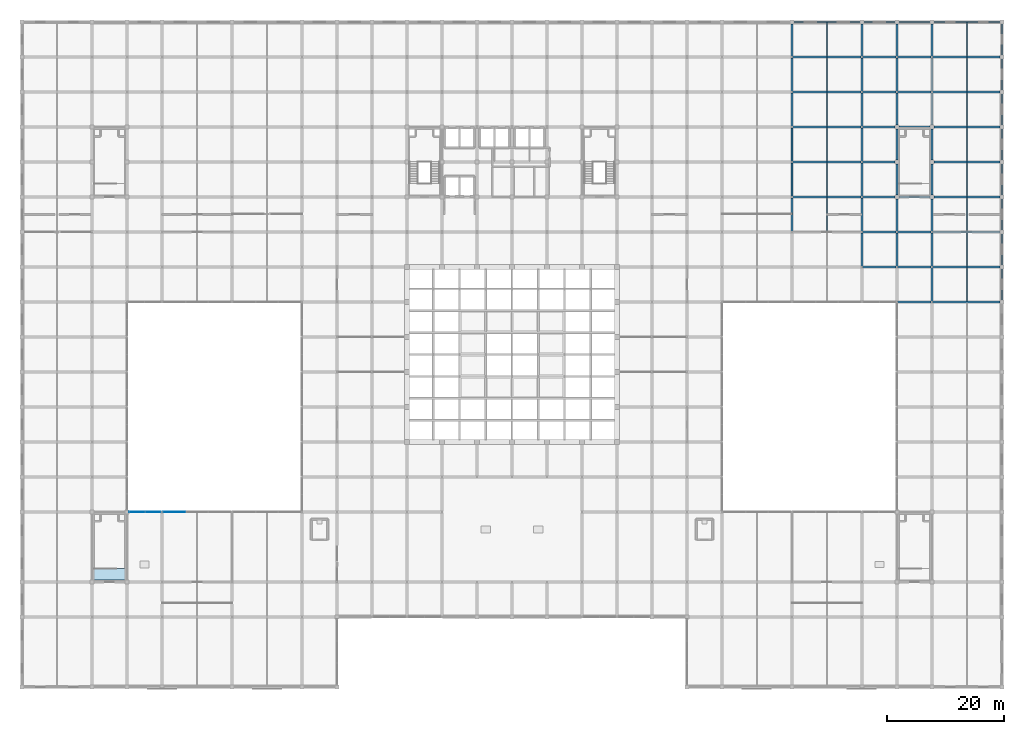
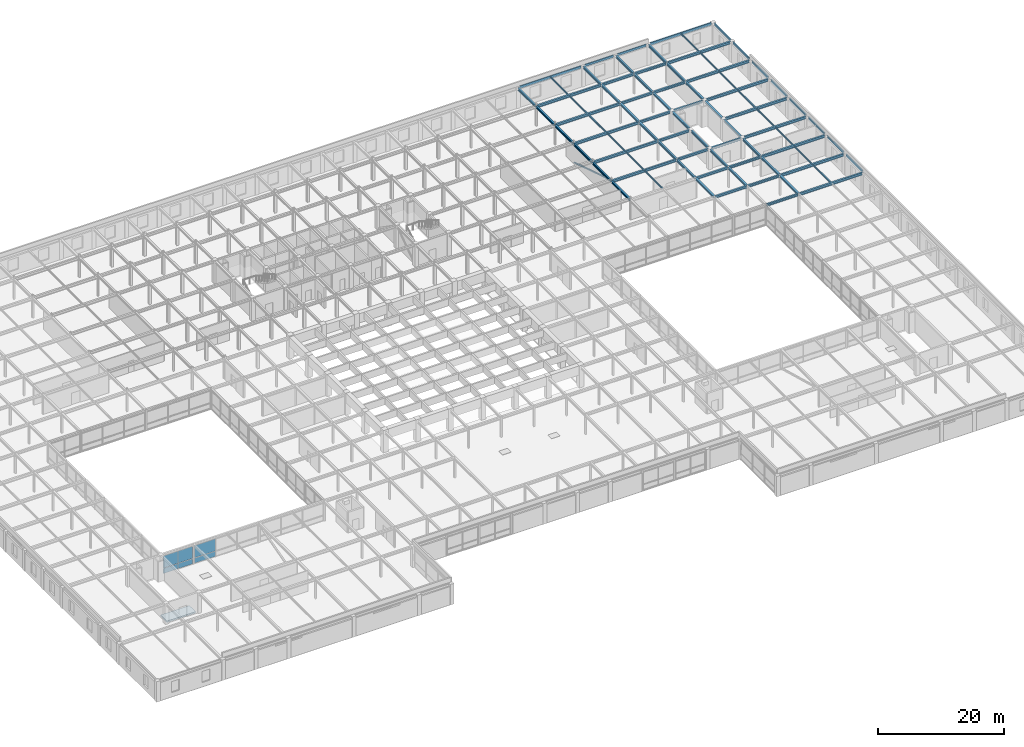
# One storey, part 95 of 111: 81 beams, 6 plates, 1 member, 1 slab, 2 elements without a shape of their own.
"""IFC4 building model written with IfcOpenShell, lengths in metres."""

from ifc_helpers import new_model, si_unit, direction, frame, origin, origin_2d, place, context, subcontext, project, spatial, polyline, rectangle, hollow_rectangle, i_section, outline, extrude, material, layer, layer_set, material_profile, profile_set, type_object, element, aggregate, save


model = new_model("IFC4")

# Units and contexts
model_context = context("Model", 3, precision=1e-05, world=origin(), true_north=direction((0.0, 1.0)))
body_context = subcontext(model_context, "Body", "Model", "MODEL_VIEW")
ifc_project = project(units=[si_unit("LENGTHUNIT", "METRE"), si_unit("AREAUNIT", "SQUARE_METRE"), si_unit("VOLUMEUNIT", "CUBIC_METRE"), si_unit("PLANEANGLEUNIT", "RADIAN"), si_unit("MASSUNIT", "GRAM", prefix="KILO")], contexts=[model_context])

# Site, building, storey
site_placement = place(None, origin())
site = spatial("IfcSite", under=ifc_project, at=site_placement, CompositionType="ELEMENT")
building_placement = place(site_placement, origin())
building = spatial("IfcBuilding", under=site, at=building_placement, Name="Zlatovratsky Civic Hall", CompositionType="ELEMENT")
storey_placement = place(building_placement, frame((0.0, 0.0, 16.5)))
storey = spatial("IfcBuildingStorey", under=building, at=storey_placement, Name="L04", CompositionType="ELEMENT", Elevation=16.5)

# Beams
ifc_material_1 = material(Name="Steel S355", Category="steel")
ifc_material_profile_1 = material_profile(ifc_material_1, i_section(OverallWidth=0.300048828125, OverallDepth=0.487060546875, WebThickness=0.014404296875, FlangeThickness=0.017578125, FilletRadius=0.02392578125, at=origin_2d()), Name="50Sh2")
ifc_profile_set_1 = profile_set([ifc_material_profile_1], Name="Steel S355")
beam_type_1 = type_object("IfcBeamType", Name="Beam_ArchiveGirder_50Sh2", PredefinedType="BEAM", material=ifc_profile_set_1)
for number, where, z_axis, x_axis, name in (
    (1, (156.125, 66.0, 3.756591796875), (1.0, 0.0, 0.0), (0.0, 1.0, 0.0), "BM-3345"),
    (2, (156.125, 72.0, 3.756591796875), (1.0, 0.0, 0.0), (0.0, 1.0, 0.0), "BM-3361"),
    (3, (156.125, 78.0, 3.756591796875), (1.0, 0.0, 0.0), (0.0, 1.0, 0.0), "BM-3383"),
):
    element("IfcBeam", number, at=place(storey_placement, frame(where, z_axis=z_axis, x_axis=x_axis)), inside=storey, type_object=beam_type_1, Name=name, PredefinedType="BEAM", context=body_context, shape_type="SweptSolid", body=[
        extrude(i_section(OverallWidth=0.300048828125, OverallDepth=0.487060546875, WebThickness=0.014404296875, FlangeThickness=0.017578125, FilletRadius=0.02392578125, at=origin_2d()), origin(), (0.0, 0.0, 1.0), 11.52490234375),
    ])
beam_1_placement = place(storey_placement, frame((132.125, 84.0, 3.756591796875), z_axis=(1.0, 0.0, 0.0), x_axis=(0.0, 1.0, 0.0)))
element("IfcBeam", 4, at=beam_1_placement, inside=storey, type_object=beam_type_1, Name="BM-3402", PredefinedType="BEAM", context=body_context, shape_type="SweptSolid", body=[
    extrude(i_section(OverallWidth=0.300048828125, OverallDepth=0.487060546875, WebThickness=0.014404296875, FlangeThickness=0.017578125, FilletRadius=0.02392578125, at=origin_2d()), origin(), (0.0, 0.0, 1.0), 11.75),
])
beam_2_placement = place(storey_placement, frame((156.35009765625, 84.0, 3.756591796875), z_axis=(1.0, 0.0, 0.0), x_axis=(0.0, 1.0, 0.0)))
element("IfcBeam", 5, at=beam_2_placement, inside=storey, type_object=beam_type_1, Name="BM-3405", PredefinedType="BEAM", context=body_context, shape_type="SweptSolid", body=[
    extrude(i_section(OverallWidth=0.300048828125, OverallDepth=0.487060546875, WebThickness=0.014404296875, FlangeThickness=0.017578125, FilletRadius=0.02392578125, at=origin_2d()), origin(), (0.0, 0.0, 1.0), 11.2998046875),
])
beam_3_placement = place(storey_placement, frame((132.125, 90.0, 3.756591796875), z_axis=(1.0, 0.0, 0.0), x_axis=(0.0, 1.0, 0.0)))
element("IfcBeam", 6, at=beam_3_placement, inside=storey, type_object=beam_type_1, Name="BM-3421", PredefinedType="BEAM", context=body_context, shape_type="SweptSolid", body=[
    extrude(i_section(OverallWidth=0.300048828125, OverallDepth=0.487060546875, WebThickness=0.014404296875, FlangeThickness=0.017578125, FilletRadius=0.02392578125, at=origin_2d()), origin(), (0.0, 0.0, 1.0), 11.75),
])
beam_4_placement = place(storey_placement, frame((156.35009765625, 90.0, 3.756591796875), z_axis=(1.0, 0.0, 0.0), x_axis=(0.0, 1.0, 0.0)))
element("IfcBeam", 7, at=beam_4_placement, inside=storey, type_object=beam_type_1, Name="BM-3423", PredefinedType="BEAM", context=body_context, shape_type="SweptSolid", body=[
    extrude(i_section(OverallWidth=0.300048828125, OverallDepth=0.487060546875, WebThickness=0.014404296875, FlangeThickness=0.017578125, FilletRadius=0.02392578125, at=origin_2d()), origin(), (0.0, 0.0, 1.0), 11.2998046875),
])
beam_5_placement = place(storey_placement, frame((132.125, 96.0, 3.756591796875), z_axis=(1.0, 0.0, 0.0), x_axis=(0.0, 1.0, 0.0)))
element("IfcBeam", 8, at=beam_5_placement, inside=storey, type_object=beam_type_1, Name="BM-3442", PredefinedType="BEAM", context=body_context, shape_type="SweptSolid", body=[
    extrude(i_section(OverallWidth=0.300048828125, OverallDepth=0.487060546875, WebThickness=0.014404296875, FlangeThickness=0.017578125, FilletRadius=0.02392578125, at=origin_2d()), origin(), (0.0, 0.0, 1.0), 11.75),
])
beam_6_placement = place(storey_placement, frame((156.35009765625, 96.0, 3.756591796875), z_axis=(1.0, 0.0, 0.0), x_axis=(0.0, 1.0, 0.0)))
element("IfcBeam", 9, at=beam_6_placement, inside=storey, type_object=beam_type_1, Name="BM-3445", PredefinedType="BEAM", context=body_context, shape_type="SweptSolid", body=[
    extrude(i_section(OverallWidth=0.300048828125, OverallDepth=0.487060546875, WebThickness=0.014404296875, FlangeThickness=0.017578125, FilletRadius=0.02392578125, at=origin_2d()), origin(), (0.0, 0.0, 1.0), 11.2998046875),
])
beam_7_placement = place(storey_placement, frame((132.125, 102.0, 3.756591796875), z_axis=(1.0, 0.0, 0.0), x_axis=(0.0, 1.0, 0.0)))
element("IfcBeam", 10, at=beam_7_placement, inside=storey, type_object=beam_type_1, Name="BM-3464", PredefinedType="BEAM", context=body_context, shape_type="SweptSolid", body=[
    extrude(i_section(OverallWidth=0.300048828125, OverallDepth=0.487060546875, WebThickness=0.014404296875, FlangeThickness=0.017578125, FilletRadius=0.02392578125, at=origin_2d()), origin(), (0.0, 0.0, 1.0), 11.75),
])
beam_8_placement = place(storey_placement, frame((156.125, 102.0, 3.756591796875), z_axis=(1.0, 0.0, 0.0), x_axis=(0.0, 1.0, 0.0)))
element("IfcBeam", 11, at=beam_8_placement, inside=storey, type_object=beam_type_1, Name="BM-3467", PredefinedType="BEAM", context=body_context, shape_type="SweptSolid", body=[
    extrude(i_section(OverallWidth=0.300048828125, OverallDepth=0.487060546875, WebThickness=0.014404296875, FlangeThickness=0.017578125, FilletRadius=0.02392578125, at=origin_2d()), origin(), (0.0, 0.0, 1.0), 11.52490234375),
])
beam_9_placement = place(storey_placement, frame((132.125, 108.0, 3.756591796875), z_axis=(1.0, 0.0, 0.0), x_axis=(0.0, 1.0, 0.0)))
element("IfcBeam", 12, at=beam_9_placement, inside=storey, type_object=beam_type_1, Name="BM-3486", PredefinedType="BEAM", context=body_context, shape_type="SweptSolid", body=[
    extrude(i_section(OverallWidth=0.300048828125, OverallDepth=0.487060546875, WebThickness=0.014404296875, FlangeThickness=0.017578125, FilletRadius=0.02392578125, at=origin_2d()), origin(), (0.0, 0.0, 1.0), 11.75),
])
beam_10_placement = place(storey_placement, frame((156.125, 108.0, 3.756591796875), z_axis=(1.0, 0.0, 0.0), x_axis=(0.0, 1.0, 0.0)))
element("IfcBeam", 13, at=beam_10_placement, inside=storey, type_object=beam_type_1, Name="BM-3489", PredefinedType="BEAM", context=body_context, shape_type="SweptSolid", body=[
    extrude(i_section(OverallWidth=0.300048828125, OverallDepth=0.487060546875, WebThickness=0.014404296875, FlangeThickness=0.017578125, FilletRadius=0.02392578125, at=origin_2d()), origin(), (0.0, 0.0, 1.0), 11.52490234375),
])
ifc_material_profile_2 = material_profile(ifc_material_1, i_section(OverallWidth=0.198974609375, OverallDepth=0.491943359375, WebThickness=0.0087890625, FlangeThickness=0.011962890625, FilletRadius=0.01611328125, at=origin_2d()), Name="50B1")
ifc_profile_set_2 = profile_set([ifc_material_profile_2], Name="Steel S355")
beam_type_2 = type_object("IfcBeamType", Name="Beam_Spandrel_50B1", PredefinedType="SPANDREL", material=ifc_profile_set_2)
for number, where, z_axis, x_axis, name in (
    (14, (144.35009765625, 114.0, 3.75390625), (1.0, 0.0, 0.0), (0.0, 1.0, 0.0), "BM-3509"),
    (15, (150.35009765625, 114.0, 3.75390625), (1.0, 0.0, 0.0), (0.0, 1.0, 0.0), "BM-3510"),
    (16, (168.0, 66.35009765625, 3.75390625), (0.0, 1.0, 0.0), (-1.0, 0.0, 0.0), "BM-3821"),
    (17, (168.0, 72.35009765625, 3.75390625), (0.0, 1.0, 0.0), (-1.0, 0.0, 0.0), "BM-3822"),
    (18, (168.0, 78.35009765625, 3.75390625), (0.0, 1.0, 0.0), (-1.0, 0.0, 0.0), "BM-3823"),
    (19, (168.0, 84.35009765625, 3.75390625), (0.0, 1.0, 0.0), (-1.0, 0.0, 0.0), "BM-3824"),
    (20, (168.0, 90.35009765625, 3.75390625), (0.0, 1.0, 0.0), (-1.0, 0.0, 0.0), "BM-3825"),
    (21, (168.0, 96.35009765625, 3.75390625), (0.0, 1.0, 0.0), (-1.0, 0.0, 0.0), "BM-3826"),
    (22, (168.0, 102.35009765625, 3.75390625), (0.0, 1.0, 0.0), (-1.0, 0.0, 0.0), "BM-3827"),
    (23, (168.0, 108.35009765625, 3.75390625), (0.0, 1.0, 0.0), (-1.0, 0.0, 0.0), "BM-3828"),
):
    element("IfcBeam", number, at=place(storey_placement, frame(where, z_axis=z_axis, x_axis=x_axis)), inside=storey, type_object=beam_type_2, Name=name, PredefinedType="SPANDREL", context=body_context, shape_type="SweptSolid", body=[
        extrude(i_section(OverallWidth=0.198974609375, OverallDepth=0.491943359375, WebThickness=0.0087890625, FlangeThickness=0.011962890625, FilletRadius=0.01611328125, at=origin_2d()), origin(), (0.0, 0.0, 1.0), 5.2998046875),
    ])
ifc_material_profile_3 = material_profile(ifc_material_1, i_section(OverallWidth=0.219970703125, OverallDepth=0.54296875, WebThickness=0.009521484375, FlangeThickness=0.013427734375, FilletRadius=0.01806640625, at=origin_2d()), Name="55B1")
ifc_profile_set_3 = profile_set([ifc_material_profile_3], Name="Steel S355")
beam_type_3 = type_object("IfcBeamType", Name="Beam_Spandrel_55B1", PredefinedType="SPANDREL", material=ifc_profile_set_3)
for number, where, z_axis, x_axis, name in (
    (24, (132.35009765625, 114.0, 3.728515625), (1.0, 0.0, 0.0), (0.0, 1.0, 0.0), "BM-3508"),
    (25, (156.35009765625, 114.0, 3.728515625), (1.0, 0.0, 0.0), (0.0, 1.0, 0.0), "BM-3511"),
):
    element("IfcBeam", number, at=place(storey_placement, frame(where, z_axis=z_axis, x_axis=x_axis)), inside=storey, type_object=beam_type_3, Name=name, PredefinedType="SPANDREL", context=body_context, shape_type="SweptSolid", body=[
        extrude(i_section(OverallWidth=0.219970703125, OverallDepth=0.54296875, WebThickness=0.009521484375, FlangeThickness=0.013427734375, FilletRadius=0.01806640625, at=origin_2d()), origin(), (0.0, 0.0, 1.0), 11.2998046875),
    ])
ifc_material_profile_4 = material_profile(ifc_material_1, i_section(OverallWidth=0.300048828125, OverallDepth=0.43994140625, WebThickness=0.010986328125, FlangeThickness=0.01806640625, FilletRadius=0.02197265625, at=origin_2d()), Name="45Sh1")
ifc_profile_set_4 = profile_set([ifc_material_profile_4], Name="Steel S355")
beam_type_4 = type_object("IfcBeamType", Name="Beam_TowerLow_45Sh1", PredefinedType="BEAM", material=ifc_profile_set_4)
for number, where, z_axis, x_axis, name in (
    (26, (150.125, 66.0, 3.780029296875), (1.0, 0.0, 0.0), (0.0, 1.0, 0.0), "BM-3344"),
    (27, (144.125, 72.0, 3.780029296875), (1.0, 0.0, 0.0), (0.0, 1.0, 0.0), "BM-3359"),
    (28, (150.125, 72.0, 3.780029296875), (1.0, 0.0, 0.0), (0.0, 1.0, 0.0), "BM-3360"),
    (29, (144.125, 78.0, 3.780029296875), (1.0, 0.0, 0.0), (0.0, 1.0, 0.0), "BM-3381"),
    (30, (150.125, 78.0, 3.780029296875), (1.0, 0.0, 0.0), (0.0, 1.0, 0.0), "BM-3382"),
):
    element("IfcBeam", number, at=place(storey_placement, frame(where, z_axis=z_axis, x_axis=x_axis)), inside=storey, type_object=beam_type_4, Name=name, PredefinedType="BEAM", context=body_context, shape_type="SweptSolid", body=[
        extrude(i_section(OverallWidth=0.300048828125, OverallDepth=0.43994140625, WebThickness=0.010986328125, FlangeThickness=0.01806640625, FilletRadius=0.02197265625, at=origin_2d()), origin(), (0.0, 0.0, 1.0), 5.75),
    ])
beam_11_placement = place(storey_placement, frame((144.125, 84.0, 3.780029296875), z_axis=(1.0, 0.0, 0.0), x_axis=(0.0, 1.0, 0.0)))
element("IfcBeam", 31, at=beam_11_placement, inside=storey, type_object=beam_type_4, Name="BM-3403", PredefinedType="BEAM", context=body_context, shape_type="SweptSolid", body=[
    extrude(i_section(OverallWidth=0.300048828125, OverallDepth=0.43994140625, WebThickness=0.010986328125, FlangeThickness=0.01806640625, FilletRadius=0.02197265625, at=origin_2d()), origin(), (0.0, 0.0, 1.0), 5.52490234375),
])
beam_12_placement = place(storey_placement, frame((150.35009765625, 84.0, 3.780029296875), z_axis=(1.0, 0.0, 0.0), x_axis=(0.0, 1.0, 0.0)))
element("IfcBeam", 32, at=beam_12_placement, inside=storey, type_object=beam_type_4, Name="BM-3404", PredefinedType="BEAM", context=body_context, shape_type="SweptSolid", body=[
    extrude(i_section(OverallWidth=0.300048828125, OverallDepth=0.43994140625, WebThickness=0.010986328125, FlangeThickness=0.01806640625, FilletRadius=0.02197265625, at=origin_2d()), origin(), (0.0, 0.0, 1.0), 5.2998046875),
])
for number, where, z_axis, x_axis, name in (
    (33, (144.125, 90.0, 3.780029296875), (1.0, 0.0, 0.0), (0.0, 1.0, 0.0), "BM-3422"),
    (34, (144.125, 96.0, 3.780029296875), (1.0, 0.0, 0.0), (0.0, 1.0, 0.0), "BM-3443"),
):
    element("IfcBeam", number, at=place(storey_placement, frame(where, z_axis=z_axis, x_axis=x_axis)), inside=storey, type_object=beam_type_4, Name=name, PredefinedType="BEAM", context=body_context, shape_type="SweptSolid", body=[
        extrude(i_section(OverallWidth=0.300048828125, OverallDepth=0.43994140625, WebThickness=0.010986328125, FlangeThickness=0.01806640625, FilletRadius=0.02197265625, at=origin_2d()), origin(), (0.0, 0.0, 1.0), 5.52490234375),
    ])
beam_13_placement = place(storey_placement, frame((150.35009765625, 96.0, 3.780029296875), z_axis=(1.0, 0.0, 0.0), x_axis=(0.0, 1.0, 0.0)))
element("IfcBeam", 35, at=beam_13_placement, inside=storey, type_object=beam_type_4, Name="BM-3444", PredefinedType="BEAM", context=body_context, shape_type="SweptSolid", body=[
    extrude(i_section(OverallWidth=0.300048828125, OverallDepth=0.43994140625, WebThickness=0.010986328125, FlangeThickness=0.01806640625, FilletRadius=0.02197265625, at=origin_2d()), origin(), (0.0, 0.0, 1.0), 5.2998046875),
])
for number, where, z_axis, x_axis, name in (
    (36, (144.125, 102.0, 3.780029296875), (1.0, 0.0, 0.0), (0.0, 1.0, 0.0), "BM-3465"),
    (37, (150.125, 102.0, 3.780029296875), (1.0, 0.0, 0.0), (0.0, 1.0, 0.0), "BM-3466"),
    (38, (144.125, 108.0, 3.780029296875), (1.0, 0.0, 0.0), (0.0, 1.0, 0.0), "BM-3487"),
    (39, (150.125, 108.0, 3.780029296875), (1.0, 0.0, 0.0), (0.0, 1.0, 0.0), "BM-3488"),
    (40, (132.0, 78.125, 3.780029296875), (0.0, 1.0, 0.0), (-1.0, 0.0, 0.0), "BM-3761"),
    (41, (132.0, 84.125, 3.780029296875), (0.0, 1.0, 0.0), (-1.0, 0.0, 0.0), "BM-3762"),
    (42, (132.0, 90.125, 3.780029296875), (0.0, 1.0, 0.0), (-1.0, 0.0, 0.0), "BM-3763"),
    (43, (132.0, 96.125, 3.780029296875), (0.0, 1.0, 0.0), (-1.0, 0.0, 0.0), "BM-3764"),
    (44, (132.0, 102.125, 3.780029296875), (0.0, 1.0, 0.0), (-1.0, 0.0, 0.0), "BM-3765"),
):
    element("IfcBeam", number, at=place(storey_placement, frame(where, z_axis=z_axis, x_axis=x_axis)), inside=storey, type_object=beam_type_4, Name=name, PredefinedType="BEAM", context=body_context, shape_type="SweptSolid", body=[
        extrude(i_section(OverallWidth=0.300048828125, OverallDepth=0.43994140625, WebThickness=0.010986328125, FlangeThickness=0.01806640625, FilletRadius=0.02197265625, at=origin_2d()), origin(), (0.0, 0.0, 1.0), 5.75),
    ])
beam_14_placement = place(storey_placement, frame((132.0, 108.125, 3.780029296875), z_axis=(0.0, 1.0, 0.0), x_axis=(-1.0, 0.0, 0.0)))
element("IfcBeam", 45, at=beam_14_placement, inside=storey, type_object=beam_type_4, Name="BM-3766", PredefinedType="BEAM", context=body_context, shape_type="SweptSolid", body=[
    extrude(i_section(OverallWidth=0.300048828125, OverallDepth=0.43994140625, WebThickness=0.010986328125, FlangeThickness=0.01806640625, FilletRadius=0.02197265625, at=origin_2d()), origin(), (0.0, 0.0, 1.0), 5.52490234375),
])
for number, where, z_axis, x_axis, name in (
    (46, (144.0, 72.125, 3.780029296875), (0.0, 1.0, 0.0), (-1.0, 0.0, 0.0), "BM-3771"),
    (47, (144.0, 78.125, 3.780029296875), (0.0, 1.0, 0.0), (-1.0, 0.0, 0.0), "BM-3772"),
    (48, (144.0, 84.125, 3.780029296875), (0.0, 1.0, 0.0), (-1.0, 0.0, 0.0), "BM-3773"),
    (49, (144.0, 90.125, 3.780029296875), (0.0, 1.0, 0.0), (-1.0, 0.0, 0.0), "BM-3774"),
    (50, (144.0, 96.125, 3.780029296875), (0.0, 1.0, 0.0), (-1.0, 0.0, 0.0), "BM-3775"),
    (51, (144.0, 102.125, 3.780029296875), (0.0, 1.0, 0.0), (-1.0, 0.0, 0.0), "BM-3776"),
):
    element("IfcBeam", number, at=place(storey_placement, frame(where, z_axis=z_axis, x_axis=x_axis)), inside=storey, type_object=beam_type_4, Name=name, PredefinedType="BEAM", context=body_context, shape_type="SweptSolid", body=[
        extrude(i_section(OverallWidth=0.300048828125, OverallDepth=0.43994140625, WebThickness=0.010986328125, FlangeThickness=0.01806640625, FilletRadius=0.02197265625, at=origin_2d()), origin(), (0.0, 0.0, 1.0), 5.75),
    ])
beam_15_placement = place(storey_placement, frame((144.0, 108.125, 3.780029296875), z_axis=(0.0, 1.0, 0.0), x_axis=(-1.0, 0.0, 0.0)))
element("IfcBeam", 52, at=beam_15_placement, inside=storey, type_object=beam_type_4, Name="BM-3777", PredefinedType="BEAM", context=body_context, shape_type="SweptSolid", body=[
    extrude(i_section(OverallWidth=0.300048828125, OverallDepth=0.43994140625, WebThickness=0.010986328125, FlangeThickness=0.01806640625, FilletRadius=0.02197265625, at=origin_2d()), origin(), (0.0, 0.0, 1.0), 5.52490234375),
])
beam_16_placement = place(storey_placement, frame((150.0, 72.125, 3.780029296875), z_axis=(0.0, 1.0, 0.0), x_axis=(-1.0, 0.0, 0.0)))
element("IfcBeam", 53, at=beam_16_placement, inside=storey, type_object=beam_type_4, Name="BM-3788", PredefinedType="BEAM", context=body_context, shape_type="SweptSolid", body=[
    extrude(i_section(OverallWidth=0.300048828125, OverallDepth=0.43994140625, WebThickness=0.010986328125, FlangeThickness=0.01806640625, FilletRadius=0.02197265625, at=origin_2d()), origin(), (0.0, 0.0, 1.0), 5.75),
])
beam_17_placement = place(storey_placement, frame((150.0, 78.125, 3.780029296875), z_axis=(0.0, 1.0, 0.0), x_axis=(-1.0, 0.0, 0.0)))
element("IfcBeam", 54, at=beam_17_placement, inside=storey, type_object=beam_type_4, Name="BM-3789", PredefinedType="BEAM", context=body_context, shape_type="SweptSolid", body=[
    extrude(i_section(OverallWidth=0.300048828125, OverallDepth=0.43994140625, WebThickness=0.010986328125, FlangeThickness=0.01806640625, FilletRadius=0.02197265625, at=origin_2d()), origin(), (0.0, 0.0, 1.0), 5.52490234375),
])
for number, where, z_axis, x_axis, name in (
    (55, (150.0, 84.35009765625, 3.780029296875), (0.0, 1.0, 0.0), (-1.0, 0.0, 0.0), "BM-3790"),
    (56, (150.0, 90.35009765625, 3.780029296875), (0.0, 1.0, 0.0), (-1.0, 0.0, 0.0), "BM-3791"),
):
    element("IfcBeam", number, at=place(storey_placement, frame(where, z_axis=z_axis, x_axis=x_axis)), inside=storey, type_object=beam_type_4, Name=name, PredefinedType="BEAM", context=body_context, shape_type="SweptSolid", body=[
        extrude(i_section(OverallWidth=0.300048828125, OverallDepth=0.43994140625, WebThickness=0.010986328125, FlangeThickness=0.01806640625, FilletRadius=0.02197265625, at=origin_2d()), origin(), (0.0, 0.0, 1.0), 5.2998046875),
    ])
beam_18_placement = place(storey_placement, frame((150.0, 96.35009765625, 3.780029296875), z_axis=(0.0, 1.0, 0.0), x_axis=(-1.0, 0.0, 0.0)))
element("IfcBeam", 57, at=beam_18_placement, inside=storey, type_object=beam_type_4, Name="BM-3792", PredefinedType="BEAM", context=body_context, shape_type="SweptSolid", body=[
    extrude(i_section(OverallWidth=0.300048828125, OverallDepth=0.43994140625, WebThickness=0.010986328125, FlangeThickness=0.01806640625, FilletRadius=0.02197265625, at=origin_2d()), origin(), (0.0, 0.0, 1.0), 5.52490234375),
])
beam_19_placement = place(storey_placement, frame((150.0, 102.125, 3.780029296875), z_axis=(0.0, 1.0, 0.0), x_axis=(-1.0, 0.0, 0.0)))
element("IfcBeam", 58, at=beam_19_placement, inside=storey, type_object=beam_type_4, Name="BM-3793", PredefinedType="BEAM", context=body_context, shape_type="SweptSolid", body=[
    extrude(i_section(OverallWidth=0.300048828125, OverallDepth=0.43994140625, WebThickness=0.010986328125, FlangeThickness=0.01806640625, FilletRadius=0.02197265625, at=origin_2d()), origin(), (0.0, 0.0, 1.0), 5.75),
])
beam_20_placement = place(storey_placement, frame((150.0, 108.125, 3.780029296875), z_axis=(0.0, 1.0, 0.0), x_axis=(-1.0, 0.0, 0.0)))
element("IfcBeam", 59, at=beam_20_placement, inside=storey, type_object=beam_type_4, Name="BM-3794", PredefinedType="BEAM", context=body_context, shape_type="SweptSolid", body=[
    extrude(i_section(OverallWidth=0.300048828125, OverallDepth=0.43994140625, WebThickness=0.010986328125, FlangeThickness=0.01806640625, FilletRadius=0.02197265625, at=origin_2d()), origin(), (0.0, 0.0, 1.0), 5.52490234375),
])
for number, where, z_axis, x_axis, name in (
    (60, (156.0, 66.125, 3.780029296875), (0.0, 1.0, 0.0), (-1.0, 0.0, 0.0), "BM-3804"),
    (61, (156.0, 72.125, 3.780029296875), (0.0, 1.0, 0.0), (-1.0, 0.0, 0.0), "BM-3805"),
):
    element("IfcBeam", number, at=place(storey_placement, frame(where, z_axis=z_axis, x_axis=x_axis)), inside=storey, type_object=beam_type_4, Name=name, PredefinedType="BEAM", context=body_context, shape_type="SweptSolid", body=[
        extrude(i_section(OverallWidth=0.300048828125, OverallDepth=0.43994140625, WebThickness=0.010986328125, FlangeThickness=0.01806640625, FilletRadius=0.02197265625, at=origin_2d()), origin(), (0.0, 0.0, 1.0), 5.75),
    ])
beam_21_placement = place(storey_placement, frame((156.0, 78.125, 3.780029296875), z_axis=(0.0, 1.0, 0.0), x_axis=(-1.0, 0.0, 0.0)))
element("IfcBeam", 62, at=beam_21_placement, inside=storey, type_object=beam_type_4, Name="BM-3806", PredefinedType="BEAM", context=body_context, shape_type="SweptSolid", body=[
    extrude(i_section(OverallWidth=0.300048828125, OverallDepth=0.43994140625, WebThickness=0.010986328125, FlangeThickness=0.01806640625, FilletRadius=0.02197265625, at=origin_2d()), origin(), (0.0, 0.0, 1.0), 5.52490234375),
])
for number, where, z_axis, x_axis, name in (
    (63, (156.0, 84.35009765625, 3.780029296875), (0.0, 1.0, 0.0), (-1.0, 0.0, 0.0), "BM-3807"),
    (64, (156.0, 90.35009765625, 3.780029296875), (0.0, 1.0, 0.0), (-1.0, 0.0, 0.0), "BM-3808"),
):
    element("IfcBeam", number, at=place(storey_placement, frame(where, z_axis=z_axis, x_axis=x_axis)), inside=storey, type_object=beam_type_4, Name=name, PredefinedType="BEAM", context=body_context, shape_type="SweptSolid", body=[
        extrude(i_section(OverallWidth=0.300048828125, OverallDepth=0.43994140625, WebThickness=0.010986328125, FlangeThickness=0.01806640625, FilletRadius=0.02197265625, at=origin_2d()), origin(), (0.0, 0.0, 1.0), 5.2998046875),
    ])
beam_22_placement = place(storey_placement, frame((156.0, 96.35009765625, 3.780029296875), z_axis=(0.0, 1.0, 0.0), x_axis=(-1.0, 0.0, 0.0)))
element("IfcBeam", 65, at=beam_22_placement, inside=storey, type_object=beam_type_4, Name="BM-3809", PredefinedType="BEAM", context=body_context, shape_type="SweptSolid", body=[
    extrude(i_section(OverallWidth=0.300048828125, OverallDepth=0.43994140625, WebThickness=0.010986328125, FlangeThickness=0.01806640625, FilletRadius=0.02197265625, at=origin_2d()), origin(), (0.0, 0.0, 1.0), 5.52490234375),
])
beam_23_placement = place(storey_placement, frame((156.0, 102.125, 3.780029296875), z_axis=(0.0, 1.0, 0.0), x_axis=(-1.0, 0.0, 0.0)))
element("IfcBeam", 66, at=beam_23_placement, inside=storey, type_object=beam_type_4, Name="BM-3810", PredefinedType="BEAM", context=body_context, shape_type="SweptSolid", body=[
    extrude(i_section(OverallWidth=0.300048828125, OverallDepth=0.43994140625, WebThickness=0.010986328125, FlangeThickness=0.01806640625, FilletRadius=0.02197265625, at=origin_2d()), origin(), (0.0, 0.0, 1.0), 5.75),
])
beam_24_placement = place(storey_placement, frame((156.0, 108.125, 3.780029296875), z_axis=(0.0, 1.0, 0.0), x_axis=(-1.0, 0.0, 0.0)))
element("IfcBeam", 67, at=beam_24_placement, inside=storey, type_object=beam_type_4, Name="BM-3811", PredefinedType="BEAM", context=body_context, shape_type="SweptSolid", body=[
    extrude(i_section(OverallWidth=0.300048828125, OverallDepth=0.43994140625, WebThickness=0.010986328125, FlangeThickness=0.01806640625, FilletRadius=0.02197265625, at=origin_2d()), origin(), (0.0, 0.0, 1.0), 5.52490234375),
])

# Member
ifc_material_profile_5 = material_profile(ifc_material_1, hollow_rectangle(XDim=0.219970703125, YDim=0.219970703125, WallThickness=0.010009765625, at=origin_2d()), Name="SHS 220x220x10")
ifc_profile_set_5 = profile_set([ifc_material_profile_5], Name="Steel S355")
member_type = type_object("IfcMemberType", Name="Brace_Podium_SHS220", PredefinedType="BRACE", material=ifc_profile_set_5)
member_placement = place(storey_placement, frame((132.0, 84.125, 3.949951171875), z_axis=(0.0, 0.953828854875, -0.300350654414), x_axis=(-1.0, 0.0, 0.0)))
element("IfcMember", 68, at=member_placement, inside=storey, type_object=member_type, Name="MB-0123", PredefinedType="BRACE", context=body_context, shape_type="SweptSolid", body=[
    extrude(hollow_rectangle(XDim=0.219970703125, YDim=0.219970703125, WallThickness=0.010009765625, at=origin_2d()), origin(), (0.0, 0.0, 1.0), 12.31884765625),
])

# Beams
ifc_material_profile_6 = material_profile(ifc_material_1, i_section(OverallWidth=0.14892578125, OverallDepth=0.2958984375, WebThickness=0.005615234375, FlangeThickness=0.008056640625, FilletRadius=0.012939453125, at=origin_2d()), Name="30B1")
ifc_profile_set_6 = profile_set([ifc_material_profile_6], Name="Steel S355")
beam_type_5 = type_object("IfcBeamType", Name="Joist_Tower_30B1", PredefinedType="JOIST", material=ifc_profile_set_6)
for number, where, z_axis, x_axis, name in (
    (69, (162.0, 66.14990234375, 3.85205078125), (0.0, 1.0, 0.0), (-1.0, 0.0, 0.0), "BM-3864"),
    (70, (162.0, 72.14990234375, 3.85205078125), (0.0, 1.0, 0.0), (-1.0, 0.0, 0.0), "BM-3870"),
    (71, (138.0, 78.14990234375, 3.85205078125), (0.0, 1.0, 0.0), (-1.0, 0.0, 0.0), "BM-3875"),
    (72, (162.0, 78.14990234375, 3.85205078125), (0.0, 1.0, 0.0), (-1.0, 0.0, 0.0), "BM-3876"),
    (73, (138.0, 84.14990234375, 3.85205078125), (0.0, 1.0, 0.0), (-1.0, 0.0, 0.0), "BM-3881"),
    (74, (162.0, 84.14990234375, 3.85205078125), (0.0, 1.0, 0.0), (-1.0, 0.0, 0.0), "BM-3882"),
    (75, (138.0, 90.14990234375, 3.85205078125), (0.0, 1.0, 0.0), (-1.0, 0.0, 0.0), "BM-3889"),
    (76, (162.0, 90.14990234375, 3.85205078125), (0.0, 1.0, 0.0), (-1.0, 0.0, 0.0), "BM-3890"),
    (77, (138.0, 96.14990234375, 3.85205078125), (0.0, 1.0, 0.0), (-1.0, 0.0, 0.0), "BM-3895"),
    (78, (162.0, 96.14990234375, 3.85205078125), (0.0, 1.0, 0.0), (-1.0, 0.0, 0.0), "BM-3896"),
    (79, (138.0, 102.14990234375, 3.85205078125), (0.0, 1.0, 0.0), (-1.0, 0.0, 0.0), "BM-3901"),
    (80, (162.0, 102.14990234375, 3.85205078125), (0.0, 1.0, 0.0), (-1.0, 0.0, 0.0), "BM-3902"),
):
    element("IfcBeam", number, at=place(storey_placement, frame(where, z_axis=z_axis, x_axis=x_axis)), inside=storey, type_object=beam_type_5, Name=name, PredefinedType="JOIST", context=body_context, shape_type="SweptSolid", body=[
        extrude(i_section(OverallWidth=0.14892578125, OverallDepth=0.2958984375, WebThickness=0.005615234375, FlangeThickness=0.008056640625, FilletRadius=0.012939453125, at=origin_2d()), origin(), (0.0, 0.0, 1.0), 5.7001953125),
    ])
for number, where, z_axis, x_axis, name in (
    (81, (138.0, 108.14990234375, 3.85205078125), (0.0, 1.0, 0.0), (-1.0, 0.0, 0.0), "BM-3907"),
    (82, (162.0, 108.14990234375, 3.85205078125), (0.0, 1.0, 0.0), (-1.0, 0.0, 0.0), "BM-3908"),
):
    element("IfcBeam", number, at=place(storey_placement, frame(where, z_axis=z_axis, x_axis=x_axis)), inside=storey, type_object=beam_type_5, Name=name, PredefinedType="JOIST", context=body_context, shape_type="SweptSolid", body=[
        extrude(i_section(OverallWidth=0.14892578125, OverallDepth=0.2958984375, WebThickness=0.005615234375, FlangeThickness=0.008056640625, FilletRadius=0.012939453125, at=origin_2d()), origin(), (0.0, 0.0, 1.0), 5.739990234375),
    ])

# Curtain wall, plates
ifc_material_2 = material(Name="Anodised bronze aluminium", Category="aluminium")
ifc_layer_1 = layer(ifc_material_2, 0.159912109375)
ifc_layer_set_1 = layer_set([ifc_layer_1], Name="Anodised bronze aluminium")
curtain_wall_type_1 = type_object("IfcCurtainWallType", Name="CurtainWall_Bronze_5520x3550_16", PredefinedType="NOTDEFINED", material=ifc_layer_set_1)
curtain_wall_1_placement = place(storey_placement, origin())
curtain_wall_1 = element("IfcCurtainWall", 83, at=curtain_wall_1_placement, inside=storey, type_object=curtain_wall_type_1, Name="CW-093", PredefinedType="NOTDEFINED")
ifc_material_3 = material(Name="Low-E laminated double glazing", Category="glass")
ifc_layer_2 = layer(ifc_material_3, 0.02392578125)
ifc_layer_set_2 = layer_set([ifc_layer_2], Name="Low-E laminated double glazing")
plate_type = type_object("IfcPlateType", Name="Panel_CourtGlazing_24", PredefinedType="CURTAIN_PANEL", material=ifc_layer_set_2)
plate_1_placement = place(storey_placement, frame((19.746337890625, 30.0, 0.06005859375), z_axis=(0.0, 0.0, 1.0), x_axis=(1.0, 0.0, 0.0)))
plate_1 = element("IfcPlate", 84, at=plate_1_placement, type_object=plate_type, Name="CW-16 panel 1.1", PredefinedType="CURTAIN_PANEL", context=body_context, shape_type="SweptSolid", body=[
    extrude(rectangle(XDim=2.672607421875, YDim=0.02392578125, at=origin_2d()), origin(), (0.0, 0.0, 1.0), 1.010009765625),
])
plate_2_placement = place(storey_placement, frame((19.746337890625, 30.0, 1.1298828125), z_axis=(0.0, 0.0, 1.0), x_axis=(1.0, 0.0, 0.0)))
plate_2 = element("IfcPlate", 85, at=plate_2_placement, type_object=plate_type, Name="CW-16 panel 1.2", PredefinedType="CURTAIN_PANEL", context=body_context, shape_type="SweptSolid", body=[
    extrude(rectangle(XDim=2.672607421875, YDim=0.02392578125, at=origin_2d()), origin(), (0.0, 0.0, 1.0), 2.360107421875),
])
plate_3_placement = place(storey_placement, frame((22.478759765625, 30.0, 0.06005859375), z_axis=(0.0, 0.0, 1.0), x_axis=(1.0, 0.0, 0.0)))
plate_3 = element("IfcPlate", 86, at=plate_3_placement, type_object=plate_type, Name="CW-16 panel 2.1", PredefinedType="CURTAIN_PANEL", context=body_context, shape_type="SweptSolid", body=[
    extrude(rectangle(XDim=2.672607421875, YDim=0.02392578125, at=origin_2d()), origin(), (0.0, 0.0, 1.0), 1.010009765625),
])
plate_4_placement = place(storey_placement, frame((22.478759765625, 30.0, 1.1298828125), z_axis=(0.0, 0.0, 1.0), x_axis=(1.0, 0.0, 0.0)))
plate_4 = element("IfcPlate", 87, at=plate_4_placement, type_object=plate_type, Name="CW-16 panel 2.2", PredefinedType="CURTAIN_PANEL", context=body_context, shape_type="SweptSolid", body=[
    extrude(rectangle(XDim=2.672607421875, YDim=0.02392578125, at=origin_2d()), origin(), (0.0, 0.0, 1.0), 2.360107421875),
])
aggregate(curtain_wall_1, [plate_1, plate_2, plate_3, plate_4])

ifc_layer_3 = layer(ifc_material_2, 0.159912109375)
ifc_layer_set_3 = layer_set([ifc_layer_3], Name="Anodised bronze aluminium")
curtain_wall_type_2 = type_object("IfcCurtainWallType", Name="CurtainWall_Bronze_11750x3550_17", PredefinedType="NOTDEFINED", material=ifc_layer_set_3)
curtain_wall_2_placement = place(storey_placement, origin())
curtain_wall_2 = element("IfcCurtainWall", 88, at=curtain_wall_2_placement, inside=storey, type_object=curtain_wall_type_2, Name="CW-094", PredefinedType="NOTDEFINED")
plate_5_placement = place(storey_placement, frame((26.098388671875, 30.0, 0.06005859375), z_axis=(0.0, 0.0, 1.0), x_axis=(1.0, 0.0, 0.0)))
plate_5 = element("IfcPlate", 89, at=plate_5_placement, type_object=plate_type, Name="CW-17 panel 1.1", PredefinedType="CURTAIN_PANEL", context=body_context, shape_type="SweptSolid", body=[
    extrude(rectangle(XDim=3.82666015625, YDim=0.02392578125, at=origin_2d()), origin(), (0.0, 0.0, 1.0), 1.010009765625),
])
plate_6_placement = place(storey_placement, frame((26.098388671875, 30.0, 1.1298828125), z_axis=(0.0, 0.0, 1.0), x_axis=(1.0, 0.0, 0.0)))
plate_6 = element("IfcPlate", 90, at=plate_6_placement, type_object=plate_type, Name="CW-17 panel 1.2", PredefinedType="CURTAIN_PANEL", context=body_context, shape_type="SweptSolid", body=[
    extrude(rectangle(XDim=3.82666015625, YDim=0.02392578125, at=origin_2d()), origin(), (0.0, 0.0, 1.0), 2.360107421875),
])
aggregate(curtain_wall_2, [plate_5, plate_6])

# Slab
ifc_material_4 = material(Name="Concrete C30/37 (B35)", Category="concrete")
ifc_layer_4 = layer(ifc_material_4, 0.280029296875)
ifc_layer_set_4 = layer_set([ifc_layer_4], Name="Concrete C30/37 (B35)")
slab_type = type_object("IfcSlabType", Name="Slab_CompactArchiveFloor_280", PredefinedType="FLOOR", material=ifc_layer_set_4)
slab_placement = place(storey_placement, frame((0.0, 0.0, -0.280029296875)))
element("IfcSlab", 91, at=slab_placement, inside=storey, type_object=slab_type, Name="SL-041", PredefinedType="FLOOR", context=body_context, shape_type="SweptSolid", body=[
    extrude(outline(polyline([(12.35009765625, 18.35009765625), (17.64990234375, 18.35009765625), (17.64990234375, 20.35009765625), (12.35009765625, 20.35009765625), (12.35009765625, 18.35009765625)])), origin(), (0.0, 0.0, 1.0), 0.280029296875),
])

save(model, "model.ifc")
